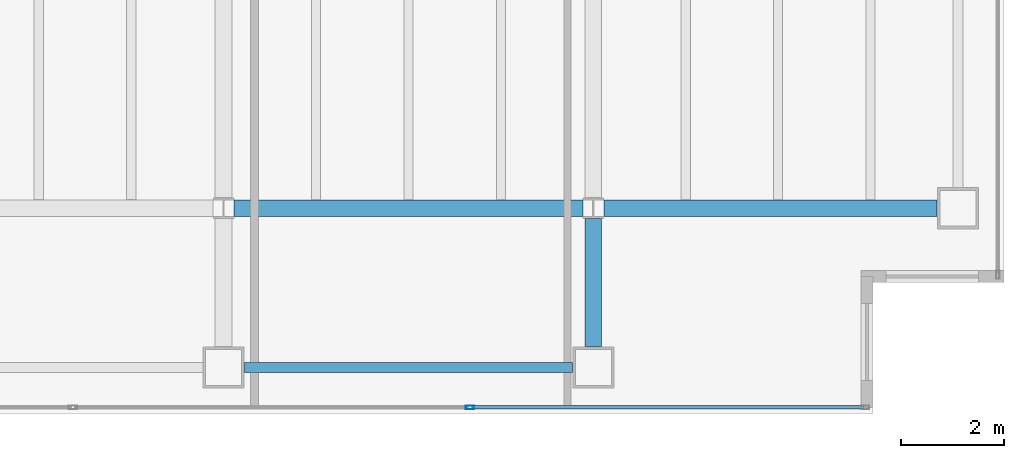
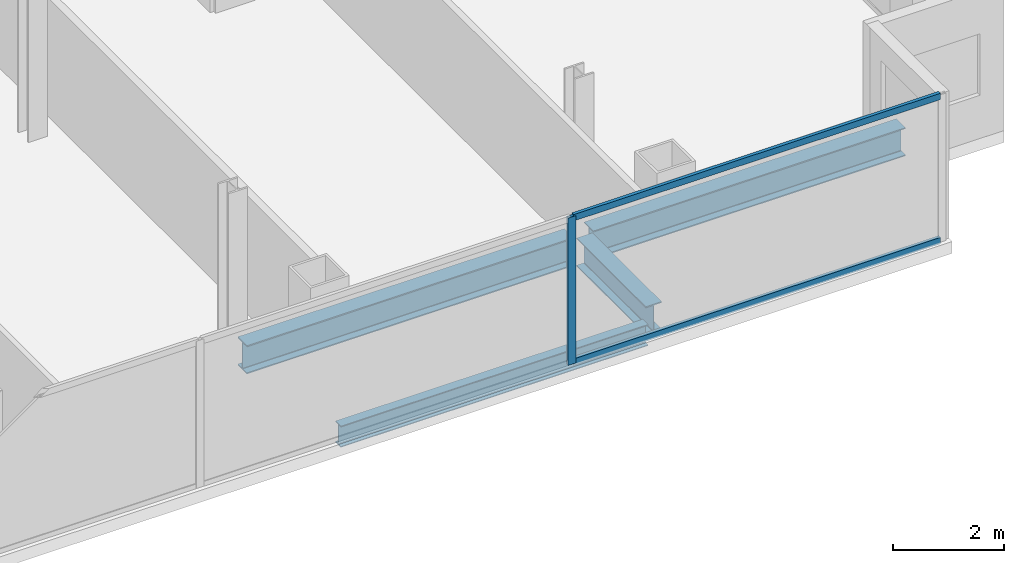
# One storey, part 10 of 23: 4 beams, 3 members, 1 element without a shape of its own.
"""IFC4 building model written with IfcOpenShell, lengths in metres."""

from ifc_helpers import new_model, si_unit, direction, frame, origin, origin_2d, place, context, subcontext, project, spatial, hollow_rectangle, i_section, extrude, material, material_profile, profile_set, type_object, element, aggregate, save


model = new_model("IFC4")

# Units and contexts
model_context = context("Model", 3, precision=1e-05, world=origin(), true_north=direction((0.0, 1.0)))
body_context = subcontext(model_context, "Body", "Model", "MODEL_VIEW")
ifc_project = project(units=[si_unit("LENGTHUNIT", "METRE"), si_unit("AREAUNIT", "SQUARE_METRE"), si_unit("VOLUMEUNIT", "CUBIC_METRE"), si_unit("PLANEANGLEUNIT", "RADIAN"), si_unit("MASSUNIT", "GRAM", prefix="KILO")], contexts=[model_context])

# Site, building, storey
site_placement = place(None, origin())
site = spatial("IfcSite", under=ifc_project, at=site_placement, CompositionType="ELEMENT")
building_placement = place(site_placement, origin())
building = spatial("IfcBuilding", under=site, at=building_placement, Name="Cobrela Telecom Tower", CompositionType="ELEMENT")
storey_placement = place(building_placement, frame((0.0, 0.0, 190.75)))
storey = spatial("IfcBuildingStorey", under=building, at=storey_placement, Name="L48", CompositionType="ELEMENT", Elevation=190.75)

# Beams
ifc_material_1 = material(Name="Steel ASTM A992 Grade 50", Category="steel")
ifc_material_profile_1 = material_profile(ifc_material_1, i_section(OverallWidth=0.327880859375, OverallDepth=0.6220703125, WebThickness=0.015380859375, FlangeThickness=0.0244140625, FilletRadius=0.014892578125, at=origin_2d()), Name="W24X131")
ifc_profile_set_1 = profile_set([ifc_material_profile_1], Name="Steel ASTM A992 Grade 50")
beam_type_1 = type_object("IfcBeamType", Name="BM-GIRD-06", PredefinedType="USERDEFINED", material=ifc_profile_set_1)
beam_1_placement = place(storey_placement, frame((29.00439453125, 7.199951171875, -0.571044921875), z_axis=(1.0, 0.0, 0.0), x_axis=(0.0, 1.0, 0.0)))
element("IfcBeam", 1, at=beam_1_placement, inside=storey, type_object=beam_type_1, Name="L48 Primary Girder X09", ObjectType="GIRDER", PredefinedType="USERDEFINED", context=body_context, shape_type="SweptSolid", body=[
    extrude(i_section(OverallWidth=0.327880859375, OverallDepth=0.6220703125, WebThickness=0.015380859375, FlangeThickness=0.0244140625, FilletRadius=0.014892578125, at=origin_2d()), origin(), (0.0, 0.0, 1.0), 6.791015625),
])
beam_2_placement = place(storey_placement, frame((36.20458984375, 7.199951171875, -0.571044921875), z_axis=(1.0, 0.0, 0.0), x_axis=(0.0, 1.0, 0.0)))
element("IfcBeam", 2, at=beam_2_placement, inside=storey, type_object=beam_type_1, Name="L48 Primary Girder X10", ObjectType="GIRDER", PredefinedType="USERDEFINED", context=body_context, shape_type="SweptSolid", body=[
    extrude(i_section(OverallWidth=0.327880859375, OverallDepth=0.6220703125, WebThickness=0.015380859375, FlangeThickness=0.0244140625, FilletRadius=0.014892578125, at=origin_2d()), origin(), (0.0, 0.0, 1.0), 6.490478515625),
])
beam_3_placement = place(storey_placement, frame((36.0, 4.5048828125, -0.571044921875), z_axis=(0.0, 1.0, 0.0), x_axis=(-1.0, 0.0, 0.0)))
element("IfcBeam", 3, at=beam_3_placement, inside=storey, type_object=beam_type_1, Name="L48 Primary Girder Y39", ObjectType="GIRDER", PredefinedType="USERDEFINED", context=body_context, shape_type="SweptSolid", body=[
    extrude(i_section(OverallWidth=0.327880859375, OverallDepth=0.6220703125, WebThickness=0.015380859375, FlangeThickness=0.0244140625, FilletRadius=0.014892578125, at=origin_2d()), origin(), (0.0, 0.0, 1.0), 2.49072265625),
])
ifc_material_profile_2 = material_profile(ifc_material_1, i_section(OverallWidth=0.193115234375, OverallDepth=0.467041015625, WebThickness=0.011474609375, FlangeThickness=0.01904296875, FilletRadius=0.012939453125, at=origin_2d()), Name="W18X65")
ifc_profile_set_2 = profile_set([ifc_material_profile_2], Name="Steel ASTM A992 Grade 50")
beam_type_2 = type_object("IfcBeamType", Name="BM-SPAND-05", PredefinedType="SPANDREL", material=ifc_profile_set_2)
beam_4_placement = place(storey_placement, frame((29.205078125, 4.10009765625, -0.493408203125), z_axis=(1.0, 0.0, 0.0), x_axis=(0.0, 1.0, 0.0)))
element("IfcBeam", 4, at=beam_4_placement, inside=storey, type_object=beam_type_2, Name="L48 Perimeter Spandrel X04", PredefinedType="SPANDREL", context=body_context, shape_type="SweptSolid", body=[
    extrude(i_section(OverallWidth=0.193115234375, OverallDepth=0.467041015625, WebThickness=0.011474609375, FlangeThickness=0.01904296875, FilletRadius=0.012939453125, at=origin_2d()), origin(), (0.0, 0.0, 1.0), 6.389892578125),
])

# Curtain wall, members
ifc_material_2 = material(Name="Anodized Bronze Aluminium 6063-T6", Category="aluminium")
curtain_wall_type = type_object("IfcCurtainWallType", Name="CW-SYS-OFF-LO", PredefinedType="USERDEFINED", material=ifc_material_2)
curtain_wall_placement = place(storey_placement, origin())
curtain_wall = element("IfcCurtainWall", 5, at=curtain_wall_placement, inside=storey, type_object=curtain_wall_type, Name="L48 Unitised Bronze Curtain Wall 17", ObjectType="UNITISED CURTAIN WALL", PredefinedType="USERDEFINED")
ifc_material_profile_3 = material_profile(ifc_material_2, hollow_rectangle(XDim=0.070068359375, YDim=0.159912109375, WallThickness=0.00390625, at=origin_2d()), Name="ALU 70x160x4")
ifc_profile_set_3 = profile_set([ifc_material_profile_3], Name="Anodized Bronze Aluminium 6063-T6")
member_type_1 = type_object("IfcMemberType", Name="CW-SYS-OFF-LO-MUL", PredefinedType="MULLION", material=ifc_profile_set_3)
member_1_placement = place(storey_placement, frame((33.597900390625, 3.320068359375, 0.0), z_axis=(0.0, 0.0, 1.0), x_axis=(0.0, -1.0, 0.0)))
member_1 = element("IfcMember", 6, at=member_1_placement, type_object=member_type_1, Name="CW-OFF-LO mullion 2", PredefinedType="MULLION", context=body_context, shape_type="SweptSolid", body=[
    extrude(hollow_rectangle(XDim=0.070068359375, YDim=0.159912109375, WallThickness=0.00390625, at=origin_2d()), origin(), (0.0, 0.0, 1.0), 3.239990234375),
])
ifc_material_profile_4 = material_profile(ifc_material_2, hollow_rectangle(XDim=0.070068359375, YDim=0.139892578125, WallThickness=0.00390625, at=origin_2d()), Name="ALU 70x140x4")
ifc_profile_set_4 = profile_set([ifc_material_profile_4], Name="Anodized Bronze Aluminium 6063-T6")
member_type_2 = type_object("IfcMemberType", Name="CW-SYS-OFF-LO-TRN", PredefinedType="USERDEFINED", material=ifc_profile_set_4)
member_2_placement = place(storey_placement, frame((41.260009765625, 3.320068359375, 0.034912109375), z_axis=(-1.0, 0.0, 0.0), x_axis=(0.0, -1.0, 0.0)))
member_2 = element("IfcMember", 7, at=member_2_placement, type_object=member_type_2, Name="CW-OFF-LO transom 1.1", ObjectType="TRANSOM", PredefinedType="USERDEFINED", context=body_context, shape_type="SweptSolid", body=[
    extrude(hollow_rectangle(XDim=0.070068359375, YDim=0.139892578125, WallThickness=0.00390625, at=origin_2d()), origin(), (0.0, 0.0, 1.0), 7.626953125),
])
member_3_placement = place(storey_placement, frame((41.260009765625, 3.320068359375, 3.205078125), z_axis=(-1.0, 0.0, 0.0), x_axis=(0.0, -1.0, 0.0)))
member_3 = element("IfcMember", 8, at=member_3_placement, type_object=member_type_2, Name="CW-OFF-LO transom 1.2", ObjectType="TRANSOM", PredefinedType="USERDEFINED", context=body_context, shape_type="SweptSolid", body=[
    extrude(hollow_rectangle(XDim=0.070068359375, YDim=0.139892578125, WallThickness=0.00390625, at=origin_2d()), origin(), (0.0, 0.0, 1.0), 7.626953125),
])
aggregate(curtain_wall, [member_1, member_2, member_3])

save(model, "model.ifc")
